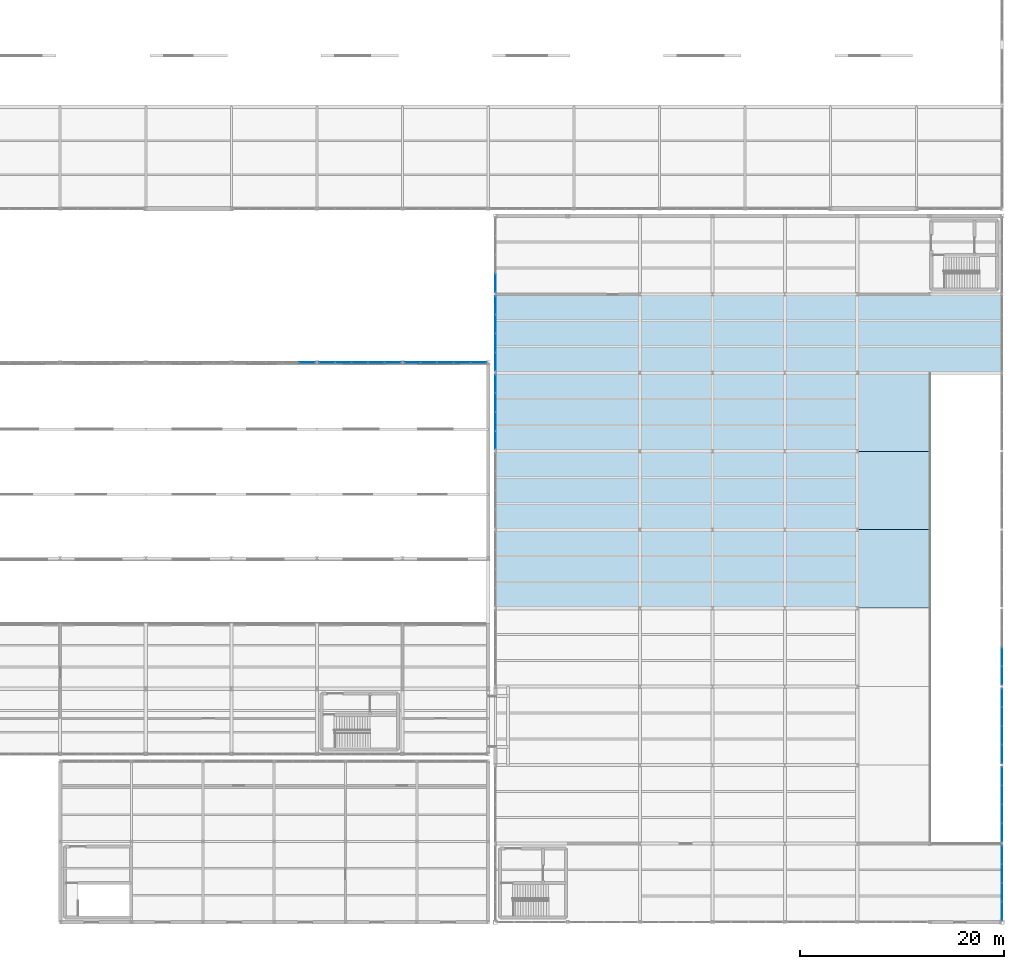
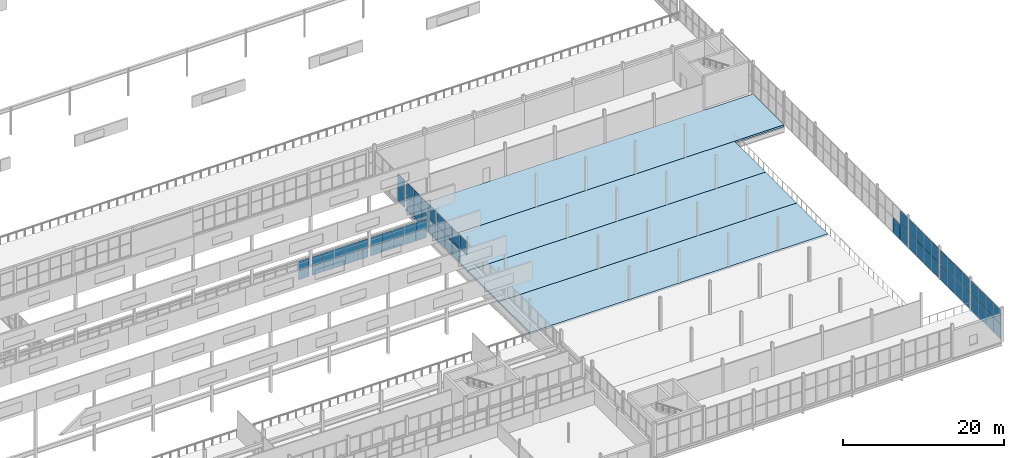
# One storey, part 188 of 218: 66 plates, 4 slabs, 10 elements without a shape of their own.
"""IFC4 building model written with IfcOpenShell, lengths in metres."""

from ifc_helpers import new_model, si_unit, direction, frame, origin, origin_2d, place, context, subcontext, project, spatial, polyline, rectangle, outline, extrude, material, layer, layer_set, type_object, element, aggregate, save


model = new_model("IFC4")

# Units and contexts
model_context = context("Model", 3, precision=1e-05, world=origin(), true_north=direction((0.0, 1.0)))
body_context = subcontext(model_context, "Body", "Model", "MODEL_VIEW")
ifc_project = project(units=[si_unit("LENGTHUNIT", "METRE"), si_unit("AREAUNIT", "SQUARE_METRE"), si_unit("VOLUMEUNIT", "CUBIC_METRE"), si_unit("PLANEANGLEUNIT", "RADIAN"), si_unit("MASSUNIT", "GRAM", prefix="KILO")], contexts=[model_context])

# Site, building, storey
site_placement = place(None, origin())
site = spatial("IfcSite", under=ifc_project, at=site_placement, CompositionType="ELEMENT")
building_placement = place(site_placement, origin())
building = spatial("IfcBuilding", under=site, at=building_placement, Name="Kazenagashi Tramway Depot", CompositionType="ELEMENT")
storey_placement = place(building_placement, frame((0.0, 0.0, 6.0)))
storey = spatial("IfcBuildingStorey", under=building, at=storey_placement, Name="L02", CompositionType="ELEMENT", Elevation=6.0)

# Curtain wall, plates
ifc_material_1 = material(Name="Anodised Aluminium and Low-E Glazing", Category="aluminium")
curtain_wall_type_1 = type_object("IfcCurtainWallType", Name="CW-21", PredefinedType="USERDEFINED", material=ifc_material_1)
curtain_wall_1_placement = place(storey_placement, origin())
curtain_wall_1 = element("IfcCurtainWall", 1, at=curtain_wall_1_placement, inside=storey, type_object=curtain_wall_type_1, Name="Industrial Glazed Screen CW-21 CW-0116", ObjectType="GLAZED SCREEN", PredefinedType="USERDEFINED")
ifc_material_2 = material(Name="Tempered Laminated Low-E Glass", Category="glass")
ifc_layer_1 = layer(ifc_material_2, 0.022)
ifc_layer_set_1 = layer_set([ifc_layer_1], Name="Tempered Laminated Low-E Glass")
plate_type_1 = type_object("IfcPlateType", Name="GL-04", PredefinedType="CURTAIN_PANEL", material=ifc_layer_set_1)
plate_1_placement = place(storey_placement, frame((127.833, 54.9, 0.06), z_axis=(0.0, 0.0, 1.0), x_axis=(1.0, 0.0, 0.0)))
plate_1 = element("IfcPlate", 2, at=plate_1_placement, type_object=plate_type_1, Name="CW-21 panel 5.1", PredefinedType="CURTAIN_PANEL", context=body_context, shape_type="SweptSolid", body=[
    extrude(rectangle(XDim=1.534, YDim=0.022, at=origin_2d()), origin(), (0.0, 0.0, 1.0), 1.418),
])
plate_2_placement = place(storey_placement, frame((127.833, 54.9, 1.538), z_axis=(0.0, 0.0, 1.0), x_axis=(1.0, 0.0, 0.0)))
plate_2 = element("IfcPlate", 3, at=plate_2_placement, type_object=plate_type_1, Name="CW-21 panel 5.2", PredefinedType="CURTAIN_PANEL", context=body_context, shape_type="SweptSolid", body=[
    extrude(rectangle(XDim=1.534, YDim=0.022, at=origin_2d()), origin(), (0.0, 0.0, 1.0), 1.302),
])
aggregate(curtain_wall_1, [plate_1, plate_2])

curtain_wall_2_placement = place(storey_placement, origin())
curtain_wall_2 = element("IfcCurtainWall", 4, at=curtain_wall_2_placement, inside=storey, type_object=curtain_wall_type_1, Name="Industrial Glazed Screen CW-21 CW-0117", ObjectType="GLAZED SCREEN", PredefinedType="USERDEFINED")
ifc_layer_2 = layer(ifc_material_2, 0.024)
ifc_layer_set_2 = layer_set([ifc_layer_2], Name="Tempered Laminated Low-E Glass")
plate_type_2 = type_object("IfcPlateType", Name="GL-05", PredefinedType="CURTAIN_PANEL", material=ifc_layer_set_2)
plate_3_placement = place(storey_placement, frame((129.767, 54.9, 0.06), z_axis=(0.0, 0.0, 1.0), x_axis=(1.0, 0.0, 0.0)))
plate_3 = element("IfcPlate", 5, at=plate_3_placement, type_object=plate_type_2, Name="CW-21 panel 1.1", PredefinedType="CURTAIN_PANEL", context=body_context, shape_type="SweptSolid", body=[
    extrude(rectangle(XDim=1.534, YDim=0.024, at=origin_2d()), origin(), (0.0, 0.0, 1.0), 1.418),
])
plate_4_placement = place(storey_placement, frame((129.767, 54.9, 1.538), z_axis=(0.0, 0.0, 1.0), x_axis=(1.0, 0.0, 0.0)))
plate_4 = element("IfcPlate", 6, at=plate_4_placement, type_object=plate_type_2, Name="CW-21 panel 1.2", PredefinedType="CURTAIN_PANEL", context=body_context, shape_type="SweptSolid", body=[
    extrude(rectangle(XDim=1.534, YDim=0.024, at=origin_2d()), origin(), (0.0, 0.0, 1.0), 1.302),
])
plate_5_placement = place(storey_placement, frame((131.376, 54.9, 0.06), z_axis=(0.0, 0.0, 1.0), x_axis=(1.0, 0.0, 0.0)))
plate_5 = element("IfcPlate", 7, at=plate_5_placement, type_object=plate_type_2, Name="CW-21 panel 2.1", PredefinedType="CURTAIN_PANEL", context=body_context, shape_type="SweptSolid", body=[
    extrude(rectangle(XDim=1.564, YDim=0.024, at=origin_2d()), origin(), (0.0, 0.0, 1.0), 1.418),
])
plate_6_placement = place(storey_placement, frame((131.376, 54.9, 1.538), z_axis=(0.0, 0.0, 1.0), x_axis=(1.0, 0.0, 0.0)))
plate_6 = element("IfcPlate", 8, at=plate_6_placement, type_object=plate_type_2, Name="CW-21 panel 2.2", PredefinedType="CURTAIN_PANEL", context=body_context, shape_type="SweptSolid", body=[
    extrude(rectangle(XDim=1.564, YDim=0.024, at=origin_2d()), origin(), (0.0, 0.0, 1.0), 1.302),
])
plate_7_placement = place(storey_placement, frame((133.0, 54.9, 0.06), z_axis=(0.0, 0.0, 1.0), x_axis=(1.0, 0.0, 0.0)))
plate_7 = element("IfcPlate", 9, at=plate_7_placement, type_object=plate_type_2, Name="CW-21 panel 3.1", PredefinedType="CURTAIN_PANEL", context=body_context, shape_type="SweptSolid", body=[
    extrude(rectangle(XDim=1.564, YDim=0.024, at=origin_2d()), origin(), (0.0, 0.0, 1.0), 1.418),
])
plate_8_placement = place(storey_placement, frame((133.0, 54.9, 1.538), z_axis=(0.0, 0.0, 1.0), x_axis=(1.0, 0.0, 0.0)))
plate_8 = element("IfcPlate", 10, at=plate_8_placement, type_object=plate_type_2, Name="CW-21 panel 3.2", PredefinedType="CURTAIN_PANEL", context=body_context, shape_type="SweptSolid", body=[
    extrude(rectangle(XDim=1.564, YDim=0.024, at=origin_2d()), origin(), (0.0, 0.0, 1.0), 1.302),
])
plate_9_placement = place(storey_placement, frame((134.624, 54.9, 0.06), z_axis=(0.0, 0.0, 1.0), x_axis=(1.0, 0.0, 0.0)))
plate_9 = element("IfcPlate", 11, at=plate_9_placement, type_object=plate_type_2, Name="CW-21 panel 4.1", PredefinedType="CURTAIN_PANEL", context=body_context, shape_type="SweptSolid", body=[
    extrude(rectangle(XDim=1.564, YDim=0.024, at=origin_2d()), origin(), (0.0, 0.0, 1.0), 1.418),
])
plate_10_placement = place(storey_placement, frame((134.624, 54.9, 1.538), z_axis=(0.0, 0.0, 1.0), x_axis=(1.0, 0.0, 0.0)))
plate_10 = element("IfcPlate", 12, at=plate_10_placement, type_object=plate_type_2, Name="CW-21 panel 4.2", PredefinedType="CURTAIN_PANEL", context=body_context, shape_type="SweptSolid", body=[
    extrude(rectangle(XDim=1.564, YDim=0.024, at=origin_2d()), origin(), (0.0, 0.0, 1.0), 1.302),
])
plate_11_placement = place(storey_placement, frame((136.233, 54.9, 0.06), z_axis=(0.0, 0.0, 1.0), x_axis=(1.0, 0.0, 0.0)))
plate_11 = element("IfcPlate", 13, at=plate_11_placement, type_object=plate_type_2, Name="CW-21 panel 5.1", PredefinedType="CURTAIN_PANEL", context=body_context, shape_type="SweptSolid", body=[
    extrude(rectangle(XDim=1.534, YDim=0.024, at=origin_2d()), origin(), (0.0, 0.0, 1.0), 1.418),
])
plate_12_placement = place(storey_placement, frame((136.233, 54.9, 1.538), z_axis=(0.0, 0.0, 1.0), x_axis=(1.0, 0.0, 0.0)))
plate_12 = element("IfcPlate", 14, at=plate_12_placement, type_object=plate_type_2, Name="CW-21 panel 5.2", PredefinedType="CURTAIN_PANEL", context=body_context, shape_type="SweptSolid", body=[
    extrude(rectangle(XDim=1.534, YDim=0.024, at=origin_2d()), origin(), (0.0, 0.0, 1.0), 1.302),
])
aggregate(curtain_wall_2, [plate_3, plate_4, plate_5, plate_6, plate_7, plate_8, plate_9, plate_10, plate_11, plate_12])

curtain_wall_3_placement = place(storey_placement, origin())
curtain_wall_3 = element("IfcCurtainWall", 15, at=curtain_wall_3_placement, inside=storey, type_object=curtain_wall_type_1, Name="Industrial Glazed Screen CW-21 CW-0118", ObjectType="GLAZED SCREEN", PredefinedType="USERDEFINED")
ifc_layer_3 = layer(ifc_material_2, 0.026)
ifc_layer_set_3 = layer_set([ifc_layer_3], Name="Tempered Laminated Low-E Glass")
plate_type_3 = type_object("IfcPlateType", Name="GL-06", PredefinedType="CURTAIN_PANEL", material=ifc_layer_set_3)
plate_13_placement = place(storey_placement, frame((138.167, 54.9, 0.06), z_axis=(0.0, 0.0, 1.0), x_axis=(1.0, 0.0, 0.0)))
plate_13 = element("IfcPlate", 16, at=plate_13_placement, type_object=plate_type_3, Name="CW-21 panel 1.1", PredefinedType="CURTAIN_PANEL", context=body_context, shape_type="SweptSolid", body=[
    extrude(rectangle(XDim=1.534, YDim=0.026, at=origin_2d()), origin(), (0.0, 0.0, 1.0), 1.418),
])
plate_14_placement = place(storey_placement, frame((138.167, 54.9, 1.538), z_axis=(0.0, 0.0, 1.0), x_axis=(1.0, 0.0, 0.0)))
plate_14 = element("IfcPlate", 17, at=plate_14_placement, type_object=plate_type_3, Name="CW-21 panel 1.2", PredefinedType="CURTAIN_PANEL", context=body_context, shape_type="SweptSolid", body=[
    extrude(rectangle(XDim=1.534, YDim=0.026, at=origin_2d()), origin(), (0.0, 0.0, 1.0), 1.302),
])
plate_15_placement = place(storey_placement, frame((139.776, 54.9, 0.06), z_axis=(0.0, 0.0, 1.0), x_axis=(1.0, 0.0, 0.0)))
plate_15 = element("IfcPlate", 18, at=plate_15_placement, type_object=plate_type_3, Name="CW-21 panel 2.1", PredefinedType="CURTAIN_PANEL", context=body_context, shape_type="SweptSolid", body=[
    extrude(rectangle(XDim=1.564, YDim=0.026, at=origin_2d()), origin(), (0.0, 0.0, 1.0), 1.418),
])
plate_16_placement = place(storey_placement, frame((139.776, 54.9, 1.538), z_axis=(0.0, 0.0, 1.0), x_axis=(1.0, 0.0, 0.0)))
plate_16 = element("IfcPlate", 19, at=plate_16_placement, type_object=plate_type_3, Name="CW-21 panel 2.2", PredefinedType="CURTAIN_PANEL", context=body_context, shape_type="SweptSolid", body=[
    extrude(rectangle(XDim=1.564, YDim=0.026, at=origin_2d()), origin(), (0.0, 0.0, 1.0), 1.302),
])
plate_17_placement = place(storey_placement, frame((141.4, 54.9, 0.06), z_axis=(0.0, 0.0, 1.0), x_axis=(1.0, 0.0, 0.0)))
plate_17 = element("IfcPlate", 20, at=plate_17_placement, type_object=plate_type_3, Name="CW-21 panel 3.1", PredefinedType="CURTAIN_PANEL", context=body_context, shape_type="SweptSolid", body=[
    extrude(rectangle(XDim=1.564, YDim=0.026, at=origin_2d()), origin(), (0.0, 0.0, 1.0), 1.418),
])
plate_18_placement = place(storey_placement, frame((141.4, 54.9, 1.538), z_axis=(0.0, 0.0, 1.0), x_axis=(1.0, 0.0, 0.0)))
plate_18 = element("IfcPlate", 21, at=plate_18_placement, type_object=plate_type_3, Name="CW-21 panel 3.2", PredefinedType="CURTAIN_PANEL", context=body_context, shape_type="SweptSolid", body=[
    extrude(rectangle(XDim=1.564, YDim=0.026, at=origin_2d()), origin(), (0.0, 0.0, 1.0), 1.302),
])
plate_19_placement = place(storey_placement, frame((143.024, 54.9, 0.06), z_axis=(0.0, 0.0, 1.0), x_axis=(1.0, 0.0, 0.0)))
plate_19 = element("IfcPlate", 22, at=plate_19_placement, type_object=plate_type_3, Name="CW-21 panel 4.1", PredefinedType="CURTAIN_PANEL", context=body_context, shape_type="SweptSolid", body=[
    extrude(rectangle(XDim=1.564, YDim=0.026, at=origin_2d()), origin(), (0.0, 0.0, 1.0), 1.418),
])
plate_20_placement = place(storey_placement, frame((143.024, 54.9, 1.538), z_axis=(0.0, 0.0, 1.0), x_axis=(1.0, 0.0, 0.0)))
plate_20 = element("IfcPlate", 23, at=plate_20_placement, type_object=plate_type_3, Name="CW-21 panel 4.2", PredefinedType="CURTAIN_PANEL", context=body_context, shape_type="SweptSolid", body=[
    extrude(rectangle(XDim=1.564, YDim=0.026, at=origin_2d()), origin(), (0.0, 0.0, 1.0), 1.302),
])
plate_21_placement = place(storey_placement, frame((144.633, 54.9, 0.06), z_axis=(0.0, 0.0, 1.0), x_axis=(1.0, 0.0, 0.0)))
plate_21 = element("IfcPlate", 24, at=plate_21_placement, type_object=plate_type_3, Name="CW-21 panel 5.1", PredefinedType="CURTAIN_PANEL", context=body_context, shape_type="SweptSolid", body=[
    extrude(rectangle(XDim=1.534, YDim=0.026, at=origin_2d()), origin(), (0.0, 0.0, 1.0), 1.418),
])
plate_22_placement = place(storey_placement, frame((144.633, 54.9, 1.538), z_axis=(0.0, 0.0, 1.0), x_axis=(1.0, 0.0, 0.0)))
plate_22 = element("IfcPlate", 25, at=plate_22_placement, type_object=plate_type_3, Name="CW-21 panel 5.2", PredefinedType="CURTAIN_PANEL", context=body_context, shape_type="SweptSolid", body=[
    extrude(rectangle(XDim=1.534, YDim=0.026, at=origin_2d()), origin(), (0.0, 0.0, 1.0), 1.302),
])
aggregate(curtain_wall_3, [plate_13, plate_14, plate_15, plate_16, plate_17, plate_18, plate_19, plate_20, plate_21, plate_22])

curtain_wall_type_2 = type_object("IfcCurtainWallType", Name="CW-31", PredefinedType="USERDEFINED", material=ifc_material_1)
curtain_wall_4_placement = place(storey_placement, origin())
curtain_wall_4 = element("IfcCurtainWall", 26, at=curtain_wall_4_placement, inside=storey, type_object=curtain_wall_type_2, Name="Industrial Glazed Screen CW-31 CW-0169", ObjectType="GLAZED SCREEN", PredefinedType="USERDEFINED")
ifc_layer_4 = layer(ifc_material_2, 0.032)
ifc_layer_set_4 = layer_set([ifc_layer_4], Name="Tempered Laminated Low-E Glass")
plate_type_4 = type_object("IfcPlateType", Name="GL-09", PredefinedType="CURTAIN_PANEL", material=ifc_layer_set_4)
plate_23_placement = place(storey_placement, frame((146.3, 47.2825, 2.24), z_axis=(0.0, 0.0, 1.0), x_axis=(0.0, 1.0, 0.0)))
plate_23 = element("IfcPlate", 27, at=plate_23_placement, type_object=plate_type_4, Name="CW-31 panel 1.2", PredefinedType="CURTAIN_PANEL", context=body_context, shape_type="SweptSolid", body=[
    extrude(rectangle(XDim=1.765, YDim=0.032, at=origin_2d()), origin(), (0.0, 0.0, 1.0), 1.95),
])
plate_24_placement = place(storey_placement, frame((146.3, 49.1225, 0.06), z_axis=(0.0, 0.0, 1.0), x_axis=(0.0, 1.0, 0.0)))
plate_24 = element("IfcPlate", 28, at=plate_24_placement, type_object=plate_type_4, Name="CW-31 panel 2.1", PredefinedType="CURTAIN_PANEL", context=body_context, shape_type="SweptSolid", body=[
    extrude(rectangle(XDim=1.795, YDim=0.032, at=origin_2d()), origin(), (0.0, 0.0, 1.0), 2.12),
])
plate_25_placement = place(storey_placement, frame((146.3, 49.1225, 2.24), z_axis=(0.0, 0.0, 1.0), x_axis=(0.0, 1.0, 0.0)))
plate_25 = element("IfcPlate", 29, at=plate_25_placement, type_object=plate_type_4, Name="CW-31 panel 2.2", PredefinedType="CURTAIN_PANEL", context=body_context, shape_type="SweptSolid", body=[
    extrude(rectangle(XDim=1.795, YDim=0.032, at=origin_2d()), origin(), (0.0, 0.0, 1.0), 1.95),
])
plate_26_placement = place(storey_placement, frame((146.3, 50.9775, 0.06), z_axis=(0.0, 0.0, 1.0), x_axis=(0.0, 1.0, 0.0)))
plate_26 = element("IfcPlate", 30, at=plate_26_placement, type_object=plate_type_4, Name="CW-31 panel 3.1", PredefinedType="CURTAIN_PANEL", context=body_context, shape_type="SweptSolid", body=[
    extrude(rectangle(XDim=1.795, YDim=0.032, at=origin_2d()), origin(), (0.0, 0.0, 1.0), 2.12),
])
plate_27_placement = place(storey_placement, frame((146.3, 50.9775, 2.24), z_axis=(0.0, 0.0, 1.0), x_axis=(0.0, 1.0, 0.0)))
plate_27 = element("IfcPlate", 31, at=plate_27_placement, type_object=plate_type_4, Name="CW-31 panel 3.2", PredefinedType="CURTAIN_PANEL", context=body_context, shape_type="SweptSolid", body=[
    extrude(rectangle(XDim=1.795, YDim=0.032, at=origin_2d()), origin(), (0.0, 0.0, 1.0), 1.95),
])
plate_28_placement = place(storey_placement, frame((146.3, 52.8175, 0.06), z_axis=(0.0, 0.0, 1.0), x_axis=(0.0, 1.0, 0.0)))
plate_28 = element("IfcPlate", 32, at=plate_28_placement, type_object=plate_type_4, Name="CW-31 panel 4.1", PredefinedType="CURTAIN_PANEL", context=body_context, shape_type="SweptSolid", body=[
    extrude(rectangle(XDim=1.765, YDim=0.032, at=origin_2d()), origin(), (0.0, 0.0, 1.0), 2.12),
])
plate_29_placement = place(storey_placement, frame((146.3, 52.8175, 2.24), z_axis=(0.0, 0.0, 1.0), x_axis=(0.0, 1.0, 0.0)))
plate_29 = element("IfcPlate", 33, at=plate_29_placement, type_object=plate_type_4, Name="CW-31 panel 4.2", PredefinedType="CURTAIN_PANEL", context=body_context, shape_type="SweptSolid", body=[
    extrude(rectangle(XDim=1.765, YDim=0.032, at=origin_2d()), origin(), (0.0, 0.0, 1.0), 1.95),
])
aggregate(curtain_wall_4, [plate_23, plate_24, plate_25, plate_26, plate_27, plate_28, plate_29])

curtain_wall_5_placement = place(storey_placement, origin())
curtain_wall_5 = element("IfcCurtainWall", 34, at=curtain_wall_5_placement, inside=storey, type_object=curtain_wall_type_2, Name="Industrial Glazed Screen CW-31 CW-0171", ObjectType="GLAZED SCREEN", PredefinedType="USERDEFINED")
ifc_layer_5 = layer(ifc_material_2, 0.036)
ifc_layer_set_5 = layer_set([ifc_layer_5], Name="Tempered Laminated Low-E Glass")
plate_type_5 = type_object("IfcPlateType", Name="GL-11", PredefinedType="CURTAIN_PANEL", material=ifc_layer_set_5)
plate_30_placement = place(storey_placement, frame((146.3, 54.9825, 0.06), z_axis=(0.0, 0.0, 1.0), x_axis=(0.0, 1.0, 0.0)))
plate_30 = element("IfcPlate", 35, at=plate_30_placement, type_object=plate_type_5, Name="CW-31 panel 1.1", PredefinedType="CURTAIN_PANEL", context=body_context, shape_type="SweptSolid", body=[
    extrude(rectangle(XDim=1.765, YDim=0.036, at=origin_2d()), origin(), (0.0, 0.0, 1.0), 2.12),
])
plate_31_placement = place(storey_placement, frame((146.3, 54.9825, 2.24), z_axis=(0.0, 0.0, 1.0), x_axis=(0.0, 1.0, 0.0)))
plate_31 = element("IfcPlate", 36, at=plate_31_placement, type_object=plate_type_5, Name="CW-31 panel 1.2", PredefinedType="CURTAIN_PANEL", context=body_context, shape_type="SweptSolid", body=[
    extrude(rectangle(XDim=1.765, YDim=0.036, at=origin_2d()), origin(), (0.0, 0.0, 1.0), 1.95),
])
plate_32_placement = place(storey_placement, frame((146.3, 56.8225, 0.06), z_axis=(0.0, 0.0, 1.0), x_axis=(0.0, 1.0, 0.0)))
plate_32 = element("IfcPlate", 37, at=plate_32_placement, type_object=plate_type_5, Name="CW-31 panel 2.1", PredefinedType="CURTAIN_PANEL", context=body_context, shape_type="SweptSolid", body=[
    extrude(rectangle(XDim=1.795, YDim=0.036, at=origin_2d()), origin(), (0.0, 0.0, 1.0), 2.12),
])
plate_33_placement = place(storey_placement, frame((146.3, 56.8225, 2.24), z_axis=(0.0, 0.0, 1.0), x_axis=(0.0, 1.0, 0.0)))
plate_33 = element("IfcPlate", 38, at=plate_33_placement, type_object=plate_type_5, Name="CW-31 panel 2.2", PredefinedType="CURTAIN_PANEL", context=body_context, shape_type="SweptSolid", body=[
    extrude(rectangle(XDim=1.795, YDim=0.036, at=origin_2d()), origin(), (0.0, 0.0, 1.0), 1.95),
])
plate_34_placement = place(storey_placement, frame((146.3, 58.6775, 0.06), z_axis=(0.0, 0.0, 1.0), x_axis=(0.0, 1.0, 0.0)))
plate_34 = element("IfcPlate", 39, at=plate_34_placement, type_object=plate_type_5, Name="CW-31 panel 3.1", PredefinedType="CURTAIN_PANEL", context=body_context, shape_type="SweptSolid", body=[
    extrude(rectangle(XDim=1.795, YDim=0.036, at=origin_2d()), origin(), (0.0, 0.0, 1.0), 2.12),
])
plate_35_placement = place(storey_placement, frame((146.3, 58.6775, 2.24), z_axis=(0.0, 0.0, 1.0), x_axis=(0.0, 1.0, 0.0)))
plate_35 = element("IfcPlate", 40, at=plate_35_placement, type_object=plate_type_5, Name="CW-31 panel 3.2", PredefinedType="CURTAIN_PANEL", context=body_context, shape_type="SweptSolid", body=[
    extrude(rectangle(XDim=1.795, YDim=0.036, at=origin_2d()), origin(), (0.0, 0.0, 1.0), 1.95),
])
plate_36_placement = place(storey_placement, frame((146.3, 60.5175, 0.06), z_axis=(0.0, 0.0, 1.0), x_axis=(0.0, 1.0, 0.0)))
plate_36 = element("IfcPlate", 41, at=plate_36_placement, type_object=plate_type_5, Name="CW-31 panel 4.1", PredefinedType="CURTAIN_PANEL", context=body_context, shape_type="SweptSolid", body=[
    extrude(rectangle(XDim=1.765, YDim=0.036, at=origin_2d()), origin(), (0.0, 0.0, 1.0), 2.12),
])
plate_37_placement = place(storey_placement, frame((146.3, 60.5175, 2.24), z_axis=(0.0, 0.0, 1.0), x_axis=(0.0, 1.0, 0.0)))
plate_37 = element("IfcPlate", 42, at=plate_37_placement, type_object=plate_type_5, Name="CW-31 panel 4.2", PredefinedType="CURTAIN_PANEL", context=body_context, shape_type="SweptSolid", body=[
    extrude(rectangle(XDim=1.765, YDim=0.036, at=origin_2d()), origin(), (0.0, 0.0, 1.0), 1.95),
])
aggregate(curtain_wall_5, [plate_30, plate_31, plate_32, plate_33, plate_34, plate_35, plate_36, plate_37])

curtain_wall_type_3 = type_object("IfcCurtainWallType", Name="CW-23", PredefinedType="USERDEFINED", material=ifc_material_1)
curtain_wall_6_placement = place(storey_placement, origin())
curtain_wall_6 = element("IfcCurtainWall", 43, at=curtain_wall_6_placement, inside=storey, type_object=curtain_wall_type_3, Name="Industrial Glazed Screen CW-23 CW-0125", ObjectType="GLAZED SCREEN", PredefinedType="USERDEFINED")
ifc_layer_6 = layer(ifc_material_2, 0.04)
ifc_layer_set_6 = layer_set([ifc_layer_6], Name="Tempered Laminated Low-E Glass")
plate_type_6 = type_object("IfcPlateType", Name="GL-13", PredefinedType="CURTAIN_PANEL", material=ifc_layer_set_6)
plate_38_placement = place(storey_placement, frame((196.0, 1.0825, 0.06), z_axis=(0.0, 0.0, 1.0), x_axis=(0.0, 1.0, 0.0)))
plate_38 = element("IfcPlate", 44, at=plate_38_placement, type_object=plate_type_6, Name="CW-23 panel 1.1", PredefinedType="CURTAIN_PANEL", context=body_context, shape_type="SweptSolid", body=[
    extrude(rectangle(XDim=1.765, YDim=0.04, at=origin_2d()), origin(), (0.0, 0.0, 1.0), 2.302),
])
plate_39_placement = place(storey_placement, frame((196.0, 1.0825, 2.422), z_axis=(0.0, 0.0, 1.0), x_axis=(0.0, 1.0, 0.0)))
plate_39 = element("IfcPlate", 45, at=plate_39_placement, type_object=plate_type_6, Name="CW-23 panel 1.2", PredefinedType="CURTAIN_PANEL", context=body_context, shape_type="SweptSolid", body=[
    extrude(rectangle(XDim=1.765, YDim=0.04, at=origin_2d()), origin(), (0.0, 0.0, 1.0), 2.118),
])
plate_40_placement = place(storey_placement, frame((196.0, 2.9225, 0.06), z_axis=(0.0, 0.0, 1.0), x_axis=(0.0, 1.0, 0.0)))
plate_40 = element("IfcPlate", 46, at=plate_40_placement, type_object=plate_type_6, Name="CW-23 panel 2.1", PredefinedType="CURTAIN_PANEL", context=body_context, shape_type="SweptSolid", body=[
    extrude(rectangle(XDim=1.795, YDim=0.04, at=origin_2d()), origin(), (0.0, 0.0, 1.0), 2.302),
])
plate_41_placement = place(storey_placement, frame((196.0, 2.9225, 2.422), z_axis=(0.0, 0.0, 1.0), x_axis=(0.0, 1.0, 0.0)))
plate_41 = element("IfcPlate", 47, at=plate_41_placement, type_object=plate_type_6, Name="CW-23 panel 2.2", PredefinedType="CURTAIN_PANEL", context=body_context, shape_type="SweptSolid", body=[
    extrude(rectangle(XDim=1.795, YDim=0.04, at=origin_2d()), origin(), (0.0, 0.0, 1.0), 2.118),
])
plate_42_placement = place(storey_placement, frame((196.0, 4.7775, 0.06), z_axis=(0.0, 0.0, 1.0), x_axis=(0.0, 1.0, 0.0)))
plate_42 = element("IfcPlate", 48, at=plate_42_placement, type_object=plate_type_6, Name="CW-23 panel 3.1", PredefinedType="CURTAIN_PANEL", context=body_context, shape_type="SweptSolid", body=[
    extrude(rectangle(XDim=1.795, YDim=0.04, at=origin_2d()), origin(), (0.0, 0.0, 1.0), 2.302),
])
plate_43_placement = place(storey_placement, frame((196.0, 4.7775, 2.422), z_axis=(0.0, 0.0, 1.0), x_axis=(0.0, 1.0, 0.0)))
plate_43 = element("IfcPlate", 49, at=plate_43_placement, type_object=plate_type_6, Name="CW-23 panel 3.2", PredefinedType="CURTAIN_PANEL", context=body_context, shape_type="SweptSolid", body=[
    extrude(rectangle(XDim=1.795, YDim=0.04, at=origin_2d()), origin(), (0.0, 0.0, 1.0), 2.118),
])
plate_44_placement = place(storey_placement, frame((196.0, 6.6175, 0.06), z_axis=(0.0, 0.0, 1.0), x_axis=(0.0, 1.0, 0.0)))
plate_44 = element("IfcPlate", 50, at=plate_44_placement, type_object=plate_type_6, Name="CW-23 panel 4.1", PredefinedType="CURTAIN_PANEL", context=body_context, shape_type="SweptSolid", body=[
    extrude(rectangle(XDim=1.765, YDim=0.04, at=origin_2d()), origin(), (0.0, 0.0, 1.0), 2.302),
])
plate_45_placement = place(storey_placement, frame((196.0, 6.6175, 2.422), z_axis=(0.0, 0.0, 1.0), x_axis=(0.0, 1.0, 0.0)))
plate_45 = element("IfcPlate", 51, at=plate_45_placement, type_object=plate_type_6, Name="CW-23 panel 4.2", PredefinedType="CURTAIN_PANEL", context=body_context, shape_type="SweptSolid", body=[
    extrude(rectangle(XDim=1.765, YDim=0.04, at=origin_2d()), origin(), (0.0, 0.0, 1.0), 2.118),
])
aggregate(curtain_wall_6, [plate_38, plate_39, plate_40, plate_41, plate_42, plate_43, plate_44, plate_45])

curtain_wall_7_placement = place(storey_placement, origin())
curtain_wall_7 = element("IfcCurtainWall", 52, at=curtain_wall_7_placement, inside=storey, type_object=curtain_wall_type_2, Name="Industrial Glazed Screen CW-31 CW-0173", ObjectType="GLAZED SCREEN", PredefinedType="USERDEFINED")
plate_46_placement = place(storey_placement, frame((146.3, 62.6825, 0.06), z_axis=(0.0, 0.0, 1.0), x_axis=(0.0, 1.0, 0.0)))
plate_46 = element("IfcPlate", 53, at=plate_46_placement, type_object=plate_type_6, Name="CW-31 panel 1.1", PredefinedType="CURTAIN_PANEL", context=body_context, shape_type="SweptSolid", body=[
    extrude(rectangle(XDim=1.765, YDim=0.04, at=origin_2d()), origin(), (0.0, 0.0, 1.0), 2.12),
])
plate_47_placement = place(storey_placement, frame((146.3, 62.6825, 2.24), z_axis=(0.0, 0.0, 1.0), x_axis=(0.0, 1.0, 0.0)))
plate_47 = element("IfcPlate", 54, at=plate_47_placement, type_object=plate_type_6, Name="CW-31 panel 1.2", PredefinedType="CURTAIN_PANEL", context=body_context, shape_type="SweptSolid", body=[
    extrude(rectangle(XDim=1.765, YDim=0.04, at=origin_2d()), origin(), (0.0, 0.0, 1.0), 1.95),
])
aggregate(curtain_wall_7, [plate_46, plate_47])

curtain_wall_8_placement = place(storey_placement, origin())
curtain_wall_8 = element("IfcCurtainWall", 55, at=curtain_wall_8_placement, inside=storey, type_object=curtain_wall_type_3, Name="Industrial Glazed Screen CW-23 CW-0126", ObjectType="GLAZED SCREEN", PredefinedType="USERDEFINED")
ifc_layer_7 = layer(ifc_material_2, 0.042)
ifc_layer_set_7 = layer_set([ifc_layer_7], Name="Tempered Laminated Low-E Glass")
plate_type_7 = type_object("IfcPlateType", Name="GL-14", PredefinedType="CURTAIN_PANEL", material=ifc_layer_set_7)
plate_48_placement = place(storey_placement, frame((196.0, 8.7825, 0.06), z_axis=(0.0, 0.0, 1.0), x_axis=(0.0, 1.0, 0.0)))
plate_48 = element("IfcPlate", 56, at=plate_48_placement, type_object=plate_type_7, Name="CW-23 panel 1.1", PredefinedType="CURTAIN_PANEL", context=body_context, shape_type="SweptSolid", body=[
    extrude(rectangle(XDim=1.765, YDim=0.042, at=origin_2d()), origin(), (0.0, 0.0, 1.0), 2.302),
])
plate_49_placement = place(storey_placement, frame((196.0, 8.7825, 2.422), z_axis=(0.0, 0.0, 1.0), x_axis=(0.0, 1.0, 0.0)))
plate_49 = element("IfcPlate", 57, at=plate_49_placement, type_object=plate_type_7, Name="CW-23 panel 1.2", PredefinedType="CURTAIN_PANEL", context=body_context, shape_type="SweptSolid", body=[
    extrude(rectangle(XDim=1.765, YDim=0.042, at=origin_2d()), origin(), (0.0, 0.0, 1.0), 2.118),
])
plate_50_placement = place(storey_placement, frame((196.0, 10.6225, 0.06), z_axis=(0.0, 0.0, 1.0), x_axis=(0.0, 1.0, 0.0)))
plate_50 = element("IfcPlate", 58, at=plate_50_placement, type_object=plate_type_7, Name="CW-23 panel 2.1", PredefinedType="CURTAIN_PANEL", context=body_context, shape_type="SweptSolid", body=[
    extrude(rectangle(XDim=1.795, YDim=0.042, at=origin_2d()), origin(), (0.0, 0.0, 1.0), 2.302),
])
plate_51_placement = place(storey_placement, frame((196.0, 10.6225, 2.422), z_axis=(0.0, 0.0, 1.0), x_axis=(0.0, 1.0, 0.0)))
plate_51 = element("IfcPlate", 59, at=plate_51_placement, type_object=plate_type_7, Name="CW-23 panel 2.2", PredefinedType="CURTAIN_PANEL", context=body_context, shape_type="SweptSolid", body=[
    extrude(rectangle(XDim=1.795, YDim=0.042, at=origin_2d()), origin(), (0.0, 0.0, 1.0), 2.118),
])
plate_52_placement = place(storey_placement, frame((196.0, 12.4775, 0.06), z_axis=(0.0, 0.0, 1.0), x_axis=(0.0, 1.0, 0.0)))
plate_52 = element("IfcPlate", 60, at=plate_52_placement, type_object=plate_type_7, Name="CW-23 panel 3.1", PredefinedType="CURTAIN_PANEL", context=body_context, shape_type="SweptSolid", body=[
    extrude(rectangle(XDim=1.795, YDim=0.042, at=origin_2d()), origin(), (0.0, 0.0, 1.0), 2.302),
])
plate_53_placement = place(storey_placement, frame((196.0, 12.4775, 2.422), z_axis=(0.0, 0.0, 1.0), x_axis=(0.0, 1.0, 0.0)))
plate_53 = element("IfcPlate", 61, at=plate_53_placement, type_object=plate_type_7, Name="CW-23 panel 3.2", PredefinedType="CURTAIN_PANEL", context=body_context, shape_type="SweptSolid", body=[
    extrude(rectangle(XDim=1.795, YDim=0.042, at=origin_2d()), origin(), (0.0, 0.0, 1.0), 2.118),
])
plate_54_placement = place(storey_placement, frame((196.0, 14.3175, 0.06), z_axis=(0.0, 0.0, 1.0), x_axis=(0.0, 1.0, 0.0)))
plate_54 = element("IfcPlate", 62, at=plate_54_placement, type_object=plate_type_7, Name="CW-23 panel 4.1", PredefinedType="CURTAIN_PANEL", context=body_context, shape_type="SweptSolid", body=[
    extrude(rectangle(XDim=1.765, YDim=0.042, at=origin_2d()), origin(), (0.0, 0.0, 1.0), 2.302),
])
plate_55_placement = place(storey_placement, frame((196.0, 14.3175, 2.422), z_axis=(0.0, 0.0, 1.0), x_axis=(0.0, 1.0, 0.0)))
plate_55 = element("IfcPlate", 63, at=plate_55_placement, type_object=plate_type_7, Name="CW-23 panel 4.2", PredefinedType="CURTAIN_PANEL", context=body_context, shape_type="SweptSolid", body=[
    extrude(rectangle(XDim=1.765, YDim=0.042, at=origin_2d()), origin(), (0.0, 0.0, 1.0), 2.118),
])
aggregate(curtain_wall_8, [plate_48, plate_49, plate_50, plate_51, plate_52, plate_53, plate_54, plate_55])

curtain_wall_9_placement = place(storey_placement, origin())
curtain_wall_9 = element("IfcCurtainWall", 64, at=curtain_wall_9_placement, inside=storey, type_object=curtain_wall_type_3, Name="Industrial Glazed Screen CW-23 CW-0127", ObjectType="GLAZED SCREEN", PredefinedType="USERDEFINED")
ifc_layer_8 = layer(ifc_material_2, 0.044)
ifc_layer_set_8 = layer_set([ifc_layer_8], Name="Tempered Laminated Low-E Glass")
plate_type_8 = type_object("IfcPlateType", Name="GL-15", PredefinedType="CURTAIN_PANEL", material=ifc_layer_set_8)
plate_56_placement = place(storey_placement, frame((196.0, 16.4825, 0.06), z_axis=(0.0, 0.0, 1.0), x_axis=(0.0, 1.0, 0.0)))
plate_56 = element("IfcPlate", 65, at=plate_56_placement, type_object=plate_type_8, Name="CW-23 panel 1.1", PredefinedType="CURTAIN_PANEL", context=body_context, shape_type="SweptSolid", body=[
    extrude(rectangle(XDim=1.765, YDim=0.044, at=origin_2d()), origin(), (0.0, 0.0, 1.0), 2.302),
])
plate_57_placement = place(storey_placement, frame((196.0, 16.4825, 2.422), z_axis=(0.0, 0.0, 1.0), x_axis=(0.0, 1.0, 0.0)))
plate_57 = element("IfcPlate", 66, at=plate_57_placement, type_object=plate_type_8, Name="CW-23 panel 1.2", PredefinedType="CURTAIN_PANEL", context=body_context, shape_type="SweptSolid", body=[
    extrude(rectangle(XDim=1.765, YDim=0.044, at=origin_2d()), origin(), (0.0, 0.0, 1.0), 2.118),
])
plate_58_placement = place(storey_placement, frame((196.0, 18.3225, 0.06), z_axis=(0.0, 0.0, 1.0), x_axis=(0.0, 1.0, 0.0)))
plate_58 = element("IfcPlate", 67, at=plate_58_placement, type_object=plate_type_8, Name="CW-23 panel 2.1", PredefinedType="CURTAIN_PANEL", context=body_context, shape_type="SweptSolid", body=[
    extrude(rectangle(XDim=1.795, YDim=0.044, at=origin_2d()), origin(), (0.0, 0.0, 1.0), 2.302),
])
plate_59_placement = place(storey_placement, frame((196.0, 18.3225, 2.422), z_axis=(0.0, 0.0, 1.0), x_axis=(0.0, 1.0, 0.0)))
plate_59 = element("IfcPlate", 68, at=plate_59_placement, type_object=plate_type_8, Name="CW-23 panel 2.2", PredefinedType="CURTAIN_PANEL", context=body_context, shape_type="SweptSolid", body=[
    extrude(rectangle(XDim=1.795, YDim=0.044, at=origin_2d()), origin(), (0.0, 0.0, 1.0), 2.118),
])
plate_60_placement = place(storey_placement, frame((196.0, 20.1775, 0.06), z_axis=(0.0, 0.0, 1.0), x_axis=(0.0, 1.0, 0.0)))
plate_60 = element("IfcPlate", 69, at=plate_60_placement, type_object=plate_type_8, Name="CW-23 panel 3.1", PredefinedType="CURTAIN_PANEL", context=body_context, shape_type="SweptSolid", body=[
    extrude(rectangle(XDim=1.795, YDim=0.044, at=origin_2d()), origin(), (0.0, 0.0, 1.0), 2.302),
])
plate_61_placement = place(storey_placement, frame((196.0, 20.1775, 2.422), z_axis=(0.0, 0.0, 1.0), x_axis=(0.0, 1.0, 0.0)))
plate_61 = element("IfcPlate", 70, at=plate_61_placement, type_object=plate_type_8, Name="CW-23 panel 3.2", PredefinedType="CURTAIN_PANEL", context=body_context, shape_type="SweptSolid", body=[
    extrude(rectangle(XDim=1.795, YDim=0.044, at=origin_2d()), origin(), (0.0, 0.0, 1.0), 2.118),
])
plate_62_placement = place(storey_placement, frame((196.0, 22.0175, 0.06), z_axis=(0.0, 0.0, 1.0), x_axis=(0.0, 1.0, 0.0)))
plate_62 = element("IfcPlate", 71, at=plate_62_placement, type_object=plate_type_8, Name="CW-23 panel 4.1", PredefinedType="CURTAIN_PANEL", context=body_context, shape_type="SweptSolid", body=[
    extrude(rectangle(XDim=1.765, YDim=0.044, at=origin_2d()), origin(), (0.0, 0.0, 1.0), 2.302),
])
plate_63_placement = place(storey_placement, frame((196.0, 22.0175, 2.422), z_axis=(0.0, 0.0, 1.0), x_axis=(0.0, 1.0, 0.0)))
plate_63 = element("IfcPlate", 72, at=plate_63_placement, type_object=plate_type_8, Name="CW-23 panel 4.2", PredefinedType="CURTAIN_PANEL", context=body_context, shape_type="SweptSolid", body=[
    extrude(rectangle(XDim=1.765, YDim=0.044, at=origin_2d()), origin(), (0.0, 0.0, 1.0), 2.118),
])
aggregate(curtain_wall_9, [plate_56, plate_57, plate_58, plate_59, plate_60, plate_61, plate_62, plate_63])

curtain_wall_10_placement = place(storey_placement, origin())
curtain_wall_10 = element("IfcCurtainWall", 73, at=curtain_wall_10_placement, inside=storey, type_object=curtain_wall_type_3, Name="Industrial Glazed Screen CW-23 CW-0128", ObjectType="GLAZED SCREEN", PredefinedType="USERDEFINED")
ifc_layer_9 = layer(ifc_material_2, 0.046)
ifc_layer_set_9 = layer_set([ifc_layer_9], Name="Tempered Laminated Low-E Glass")
plate_type_9 = type_object("IfcPlateType", Name="GL-16", PredefinedType="CURTAIN_PANEL", material=ifc_layer_set_9)
plate_64_placement = place(storey_placement, frame((196.0, 24.1825, 0.06), z_axis=(0.0, 0.0, 1.0), x_axis=(0.0, 1.0, 0.0)))
plate_64 = element("IfcPlate", 74, at=plate_64_placement, type_object=plate_type_9, Name="CW-23 panel 1.1", PredefinedType="CURTAIN_PANEL", context=body_context, shape_type="SweptSolid", body=[
    extrude(rectangle(XDim=1.765, YDim=0.046, at=origin_2d()), origin(), (0.0, 0.0, 1.0), 2.302),
])
plate_65_placement = place(storey_placement, frame((196.0, 24.1825, 2.422), z_axis=(0.0, 0.0, 1.0), x_axis=(0.0, 1.0, 0.0)))
plate_65 = element("IfcPlate", 75, at=plate_65_placement, type_object=plate_type_9, Name="CW-23 panel 1.2", PredefinedType="CURTAIN_PANEL", context=body_context, shape_type="SweptSolid", body=[
    extrude(rectangle(XDim=1.765, YDim=0.046, at=origin_2d()), origin(), (0.0, 0.0, 1.0), 2.118),
])
plate_66_placement = place(storey_placement, frame((196.0, 26.0225, 0.06), z_axis=(0.0, 0.0, 1.0), x_axis=(0.0, 1.0, 0.0)))
plate_66 = element("IfcPlate", 76, at=plate_66_placement, type_object=plate_type_9, Name="CW-23 panel 2.1", PredefinedType="CURTAIN_PANEL", context=body_context, shape_type="SweptSolid", body=[
    extrude(rectangle(XDim=1.795, YDim=0.046, at=origin_2d()), origin(), (0.0, 0.0, 1.0), 2.302),
])
aggregate(curtain_wall_10, [plate_64, plate_65, plate_66])

# Slabs
ifc_material_3 = material(Name="Concrete Fc36", Category="concrete")
ifc_layer_10 = layer(ifc_material_3, 0.28)
ifc_layer_set_10 = layer_set([ifc_layer_10], Name="Concrete Fc36")
slab_type = type_object("IfcSlabType", Name="SL-10", PredefinedType="FLOOR", material=ifc_layer_set_10)
slab_1_placement = place(storey_placement, frame((0.0, 0.0, -0.28)))
element("IfcSlab", 77, at=slab_1_placement, inside=storey, type_object=slab_type, Name="EV Bus Charging Deck Slab 5 SLAB-067", PredefinedType="FLOOR", context=body_context, shape_type="SweptSolid", body=[
    extrude(outline(polyline([(146.3, 30.8), (188.9, 30.8), (188.9, 38.5), (146.3, 38.5), (146.3, 30.8)])), origin(), (0.0, 0.0, 1.0), 0.28),
])
slab_2_placement = place(storey_placement, frame((0.0, 0.0, -0.28)))
element("IfcSlab", 78, at=slab_2_placement, inside=storey, type_object=slab_type, Name="EV Bus Charging Deck Slab 6 SLAB-068", PredefinedType="FLOOR", context=body_context, shape_type="SweptSolid", body=[
    extrude(outline(polyline([(146.3, 38.5), (188.9, 38.5), (188.9, 46.2), (146.3, 46.2), (146.3, 38.5)])), origin(), (0.0, 0.0, 1.0), 0.28),
])
slab_3_placement = place(storey_placement, frame((0.0, 0.0, -0.28)))
element("IfcSlab", 79, at=slab_3_placement, inside=storey, type_object=slab_type, Name="EV Bus Charging Deck Slab 7 SLAB-069", PredefinedType="FLOOR", context=body_context, shape_type="SweptSolid", body=[
    extrude(outline(polyline([(146.3, 46.2), (188.9, 46.2), (188.9, 53.9), (146.3, 53.9), (146.3, 46.2)])), origin(), (0.0, 0.0, 1.0), 0.28),
])
slab_4_placement = place(storey_placement, frame((0.0, 0.0, -0.28)))
element("IfcSlab", 80, at=slab_4_placement, inside=storey, type_object=slab_type, Name="EV Bus Charging Deck Slab 8 SLAB-070", PredefinedType="FLOOR", context=body_context, shape_type="SweptSolid", body=[
    extrude(outline(polyline([(146.3, 53.9), (196.0, 53.9), (196.0, 61.6), (146.3, 61.6), (146.3, 53.9)])), origin(), (0.0, 0.0, 1.0), 0.28),
])

save(model, "model.ifc")
